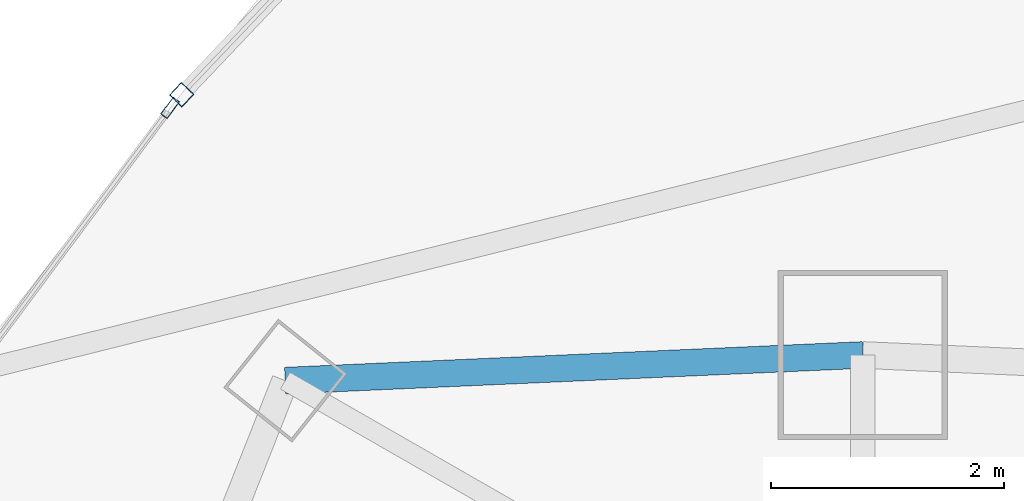
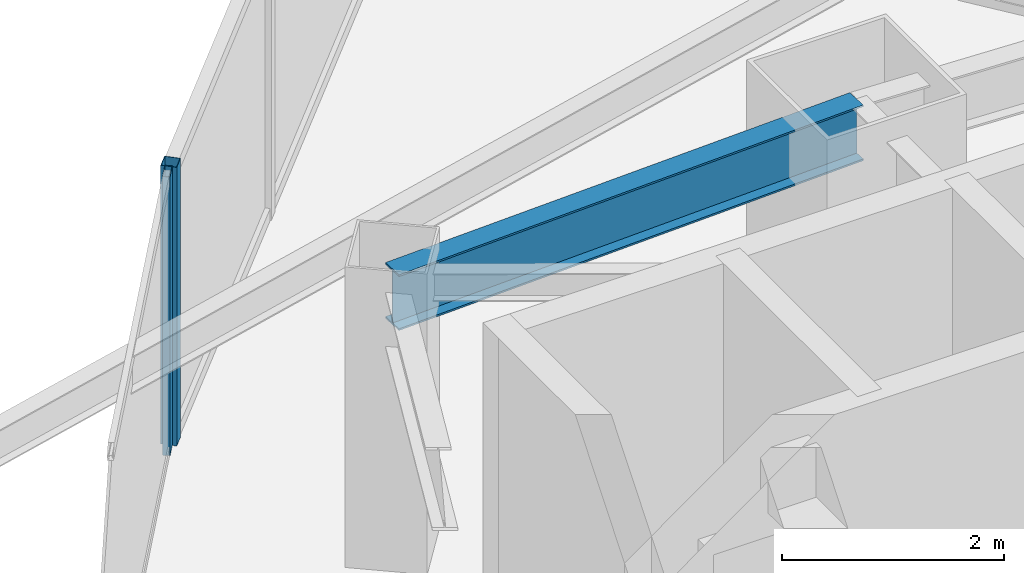
# One storey, part 21 of 31: 2 members, 1 beam, 2 elements without a shape of their own.
"""IFC4 building model written with IfcOpenShell, lengths in metres."""

import ifcopenshell
import ifcopenshell.guid

model = None  # the IFC model being written
_history = None  # IfcOwnerHistory: only IFC2X3 demands one
_inside = {}  # id of a spatial element -> (the spatial element, [elements in it])
_under = {}  # id of a project, library or spatial element -> (it, [spatial elements below it])
_declared = {}  # id of a project -> (the project, [libraries it declares])
_typed = {}  # id of a type object -> (the type object, [elements of that type])
_made_of = {}  # id of a material, layer set ... -> (it, [elements and type objects made of it])


def new_model(schema):
    """Start an empty IFC model of exactly this schema.

    Asked for "IFC4X3", IfcOpenShell would pick the latest addendum, in which some entities
    have other attributes; the version numbers below select the first issue.
    IFC2X3 requires an IfcOwnerHistory on every rooted entity: one is made here for all.
    """
    global model, _history
    if schema == "IFC4X3":
        model = ifcopenshell.file(schema_version=(4, 3, 0, 0))
    else:
        model = ifcopenshell.file(schema=schema)
    _inside.clear()
    _under.clear()
    _declared.clear()
    _typed.clear()
    _made_of.clear()
    _history = None
    if model.schema == "IFC2X3":
        org = make("IfcOrganization", Name="unknown")
        user = make(
            "IfcPersonAndOrganization",
            ThePerson=make("IfcPerson", FamilyName="unknown"),
            TheOrganization=org,
        )
        app = make(
            "IfcApplication",
            ApplicationDeveloper=org,
            Version="unknown",
            ApplicationFullName="unknown",
            ApplicationIdentifier="unknown",
        )
        _history = make(
            "IfcOwnerHistory",
            OwningUser=user,
            OwningApplication=app,
            ChangeAction="ADDED",
            CreationDate=0,
        )
    return model


def make(cls, **values):
    """One entity of the class cls with the attributes given. An attribute that is None is left unset."""
    return model.create_entity(
        cls, **{name: value for name, value in values.items() if value is not None}
    )


def rooted(cls, **values):
    """An entity with a GlobalId (a new one), such as an element, a storey or a relation."""
    return make(cls, GlobalId=ifcopenshell.guid.new(), OwnerHistory=_history, **values)


def si_unit(unit_type, name, prefix=None):
    """IfcSIUnit, for example si_unit("LENGTHUNIT", "METRE", prefix="MILLI")."""
    return make("IfcSIUnit", UnitType=unit_type, Prefix=prefix, Name=name)


def assignment(units):
    """IfcUnitAssignment: the units of a project."""
    return None if units is None else make("IfcUnitAssignment", Units=units)


def point(xyz):
    """IfcCartesianPoint."""
    return None if xyz is None else make("IfcCartesianPoint", Coordinates=xyz)


def direction(xyz):
    """IfcDirection."""
    return None if xyz is None else make("IfcDirection", DirectionRatios=xyz)


def frame(location, z_axis=None, x_axis=None):
    """IfcAxis2Placement3D, a coordinate frame: its origin and axes. An axis left out is left unset."""
    return make(
        "IfcAxis2Placement3D",
        Location=point(location),
        Axis=direction(z_axis),
        RefDirection=direction(x_axis),
    )


def frame_2d(location, x_axis=None):
    """IfcAxis2Placement2D, a coordinate frame in the plane: its origin and x axis."""
    return make(
        "IfcAxis2Placement2D", Location=point(location), RefDirection=direction(x_axis)
    )


def origin():
    """The frame at (0, 0, 0) with its axes left unset."""
    return frame((0.0, 0.0, 0.0))


def origin_2d():
    """The frame at (0, 0) in the plane with its x axis left unset."""
    return frame_2d((0.0, 0.0))


def place(relative_to, where):
    """IfcLocalPlacement: puts the frame where relative to a parent placement (None: the world)."""
    return make(
        "IfcLocalPlacement", PlacementRelTo=relative_to, RelativePlacement=where
    )


def context(
    kind, dimensions, precision=None, world=None, true_north=None, identifier=None
):
    """IfcGeometricRepresentationContext, for example the 3D "Model" context."""
    return make(
        "IfcGeometricRepresentationContext",
        ContextIdentifier=identifier,
        ContextType=kind,
        CoordinateSpaceDimension=dimensions,
        Precision=precision,
        WorldCoordinateSystem=world,
        TrueNorth=true_north,
    )


def subcontext(parent, identifier, kind, view, scale=None):
    """IfcGeometricRepresentationSubContext, for example "Body" below "Model"."""
    return make(
        "IfcGeometricRepresentationSubContext",
        ContextIdentifier=identifier,
        ContextType=kind,
        ParentContext=parent,
        TargetScale=scale,
        TargetView=view,
    )


def project(units=None, contexts=None):
    """IfcProject with its units and contexts."""
    return rooted(
        "IfcProject",
        Name="project",
        RepresentationContexts=contexts,
        UnitsInContext=assignment(units),
    )


def spatial(cls, under=None, at=None, **own):
    """A site, building, storey or space (cls), placed at a placement, below another one or the project."""
    s = rooted(cls, ObjectPlacement=at, **own)
    if under is not None:
        _under.setdefault(under.id(), (under, []))[1].append(s)
    return s


def profile(cls, at=None, kind="AREA", **sizes):
    """A parametric profile (cls). Its sizes go by their IFC names, for example OverallWidth=200.0."""
    return make(cls, ProfileType=kind, Position=at, **sizes)


def hollow_rectangle(**sizes):
    """IfcRectangleHollowProfileDef."""
    return profile("IfcRectangleHollowProfileDef", **sizes)


def i_section(**sizes):
    """IfcIShapeProfileDef."""
    return profile("IfcIShapeProfileDef", **sizes)


def extrude(swept, where, along, depth):
    """IfcExtrudedAreaSolid: the profile swept, set in the frame where, extruded along a direction by depth."""
    return make(
        "IfcExtrudedAreaSolid",
        SweptArea=swept,
        Position=where,
        ExtrudedDirection=direction(along),
        Depth=depth,
    )


def shape(context_of_items, identifier, shape_type, items):
    """IfcShapeRepresentation: the items that make up one representation, for example the "Body"."""
    return make(
        "IfcShapeRepresentation",
        ContextOfItems=context_of_items,
        RepresentationIdentifier=identifier,
        RepresentationType=shape_type,
        Items=items,
    )


def material(Name=None, Category=None):
    """IfcMaterial."""
    return make("IfcMaterial", Name=Name, Category=Category)


def layer(
    of_material, thickness, ventilated=None, Name=None, Category=None, Priority=None
):
    """IfcMaterialLayer: one layer of a wall or slab, of a material (None: an air gap)."""
    return make(
        "IfcMaterialLayer",
        Material=of_material,
        LayerThickness=thickness,
        IsVentilated=ventilated,
        Name=Name,
        Category=Category,
        Priority=Priority,
    )


def layer_set(layers, Name=None):
    """IfcMaterialLayerSet."""
    return make("IfcMaterialLayerSet", MaterialLayers=layers, LayerSetName=Name)


def material_profile(
    of_material, cross_section, Name=None, Category=None, Priority=None
):
    """IfcMaterialProfile: a cross section and its material."""
    return make(
        "IfcMaterialProfile",
        Name=Name,
        Material=of_material,
        Profile=cross_section,
        Priority=Priority,
        Category=Category,
    )


def profile_set(profiles, Name=None, composite=None):
    """IfcMaterialProfileSet."""
    return make(
        "IfcMaterialProfileSet",
        Name=Name,
        MaterialProfiles=profiles,
        CompositeProfile=composite,
    )


def made_of(thing, what):
    """Note that an element or type object is made of a material, layer set ...; save() writes the relation."""
    if what is not None:
        _made_of.setdefault(what.id(), (what, []))[1].append(thing)
    return thing


def type_object(cls, material=None, **own):
    """A type object (cls), such as IfcWallType, which elements share."""
    return made_of(rooted(cls, **own), material)


def element(
    cls,
    number,
    at=None,
    inside=None,
    cuts=None,
    type_object=None,
    material=None,
    context=None,
    identifier="Body",
    shape_type=None,
    held_by="IfcProductDefinitionShape",
    body=None,
    shapes=None,
    **own,
):
    """One element of the class cls, such as IfcWall. Its Tag is "e" and its number.

    at: its placement. inside: the storey or other place that contains it. cuts: it is an
    opening in that element (IfcRelVoidsElement). A single representation is given by context,
    identifier, shape_type and body (its items); several are given by shapes. held_by: the class
    of the entity that holds the representations. save() writes the other relations.
    """
    e = rooted(cls, Tag="e%d" % number, ObjectPlacement=at, **own)
    if body is not None:
        shapes = [shape(context, identifier, shape_type, body)]
    if shapes is not None:
        e.Representation = make(held_by, Representations=shapes)
    if inside is not None:
        _inside.setdefault(inside.id(), (inside, []))[1].append(e)
    if cuts is not None:
        rooted(
            "IfcRelVoidsElement", RelatingBuildingElement=cuts, RelatedOpeningElement=e
        )
    if type_object is not None:
        _typed.setdefault(type_object.id(), (type_object, []))[1].append(e)
    return made_of(e, material)


def aggregate(whole, parts):
    """IfcRelAggregates: a whole, such as a stair, and the parts it consists of."""
    return rooted("IfcRelAggregates", RelatingObject=whole, RelatedObjects=parts)


def save(model, path):
    """Write the relations noted so far, then the file.

    IfcRelAggregates (storeys below a building ...), IfcRelContainedInSpatialStructure (elements
    in a storey), IfcRelDefinesByType, IfcRelAssociatesMaterial and IfcRelDeclares: one each for
    every whole, place, type object, material and project.
    """
    for whole, parts in _under.values():
        aggregate(whole, parts)
    for where, things in _inside.values():
        rooted(
            "IfcRelContainedInSpatialStructure",
            RelatedElements=things,
            RelatingStructure=where,
        )
    for kind, things in _typed.values():
        rooted("IfcRelDefinesByType", RelatedObjects=things, RelatingType=kind)
    for what, things in _made_of.values():
        rooted("IfcRelAssociatesMaterial", RelatedObjects=things, RelatingMaterial=what)
    for by, libraries in _declared.values():
        rooted("IfcRelDeclares", RelatingContext=by, RelatedDefinitions=libraries)
    model.write(path)


model = new_model("IFC4")

# Units and contexts
model_context = context("Model", 3, precision=1e-05, world=origin(), true_north=direction((0.0, 1.0)))
body_context = subcontext(model_context, "Body", "Model", "MODEL_VIEW")
ifc_project = project(units=[si_unit("LENGTHUNIT", "METRE"), si_unit("AREAUNIT", "SQUARE_METRE"), si_unit("VOLUMEUNIT", "CUBIC_METRE"), si_unit("PLANEANGLEUNIT", "RADIAN"), si_unit("MASSUNIT", "GRAM", prefix="KILO")], contexts=[model_context])

# Site, building, storey
site_placement = place(None, origin())
site = spatial("IfcSite", under=ifc_project, at=site_placement, CompositionType="ELEMENT")
building_placement = place(site_placement, origin())
building = spatial("IfcBuilding", under=site, at=building_placement, Name="Orvanel Arch Residences", CompositionType="ELEMENT")
storey_placement = place(building_placement, frame((0.0, 0.0, 129.800048828125)))
storey = spatial("IfcBuildingStorey", under=building, at=storey_placement, Name="L36", CompositionType="ELEMENT", Elevation=129.800048828125)

# Curtain wall, member
ifc_material_1 = material(Name="Bronze-anodised aluminium AA6063-T6", Category="aluminium")
ifc_layer_1 = layer(ifc_material_1, 0.18994140625)
ifc_layer_set_1 = layer_set([ifc_layer_1], Name="Bronze-anodised aluminium AA6063-T6")
curtain_wall_type_1 = type_object("IfcCurtainWallType", Name="CW5-CRN-SYS", PredefinedType="NOTDEFINED", material=ifc_layer_set_1)
curtain_wall_1_placement = place(storey_placement, origin())
curtain_wall_1 = element("IfcCurtainWall", 1, at=curtain_wall_1_placement, inside=storey, type_object=curtain_wall_type_1, Name="L36 CW5-CRN-SYS Unitised Curtain Wall", PredefinedType="NOTDEFINED")
ifc_material_profile_1 = material_profile(ifc_material_1, hollow_rectangle(XDim=0.14990234375, YDim=0.14990234375, WallThickness=0.0048828125, at=origin_2d()), Name="ALU150x150x5")
ifc_profile_set_1 = profile_set([ifc_material_profile_1], Name="Bronze-anodised aluminium AA6063-T6")
member_type_1 = type_object("IfcMemberType", Name="MUL-150x150", PredefinedType="MULLION", material=ifc_profile_set_1)
member_1_placement = place(storey_placement, frame((27.16259765625, 43.62841796875, 0.0), z_axis=(0.0, 0.0, 1.0), x_axis=(0.725177541449, -0.688561931403, 0.0)))
member_1 = element("IfcMember", 2, at=member_1_placement, type_object=member_type_1, Name="CW-S5 mullion 3", PredefinedType="MULLION", context=body_context, shape_type="SweptSolid", body=[
    extrude(hollow_rectangle(XDim=0.14990234375, YDim=0.14990234375, WallThickness=0.0048828125, at=origin_2d()), origin(), (0.0, 0.0, 1.0), 3.06005859375),
])
aggregate(curtain_wall_1, [member_1])

ifc_layer_2 = layer(ifc_material_1, 0.179931640625)
ifc_layer_set_2 = layer_set([ifc_layer_2], Name="Bronze-anodised aluminium AA6063-T6")
curtain_wall_type_2 = type_object("IfcCurtainWallType", Name="CW3-MID-SYS", PredefinedType="NOTDEFINED", material=ifc_layer_set_2)
curtain_wall_2_placement = place(storey_placement, origin())
curtain_wall_2 = element("IfcCurtainWall", 3, at=curtain_wall_2_placement, inside=storey, type_object=curtain_wall_type_2, Name="L36 CW3-MID-SYS Unitised Curtain Wall", PredefinedType="NOTDEFINED")
ifc_material_profile_2 = material_profile(ifc_material_1, hollow_rectangle(XDim=0.070068359375, YDim=0.179931640625, WallThickness=0.00439453125, at=origin_2d()), Name="ALU180x70x4.5")
ifc_profile_set_2 = profile_set([ifc_material_profile_2], Name="Bronze-anodised aluminium AA6063-T6")
member_type_2 = type_object("IfcMemberType", Name="MUL-180x70", PredefinedType="MULLION", material=ifc_profile_set_2)
member_2_placement = place(storey_placement, frame((27.064208984375, 43.514892578125, 0.0), z_axis=(0.0, 0.0, 1.0), x_axis=(0.801951131724, -0.597389640291, 0.0)))
member_2 = element("IfcMember", 4, at=member_2_placement, type_object=member_type_2, Name="CW-S3 mullion 1", PredefinedType="MULLION", context=body_context, shape_type="SweptSolid", body=[
    extrude(hollow_rectangle(XDim=0.070068359375, YDim=0.179931640625, WallThickness=0.00439453125, at=origin_2d()), origin(), (0.0, 0.0, 1.0), 3.06005859375),
])
aggregate(curtain_wall_2, [member_2])

# Beam
ifc_material_2 = material(Name="Structural steel AS/NZS 3679.1 Grade 300 (300 MPa)", Category="steel")
ifc_material_profile_3 = material_profile(ifc_material_2, i_section(OverallWidth=0.22900390625, OverallDepth=0.612060546875, WebThickness=0.011962890625, FlangeThickness=0.01953125, at=origin_2d()), Name="610UB125")
ifc_profile_set_3 = profile_set([ifc_material_profile_3], Name="Structural steel AS/NZS 3679.1 Grade 300 (300 MPa)")
beam_type = type_object("IfcBeamType", Name="SP-610UB", PredefinedType="SPANDREL", material=ifc_profile_set_3)
beam_placement = place(storey_placement, frame((33.0, 41.39794921875, 2.75390625), z_axis=(-0.999014049296, -0.044395149614, 0.0), x_axis=(0.044395149614, -0.999014049296, 0.0)))
element("IfcBeam", 5, at=beam_placement, inside=storey, type_object=beam_type, Name="L36 Perimeter Spandrel Beam 15", PredefinedType="SPANDREL", context=body_context, shape_type="SweptSolid", body=[
    extrude(i_section(OverallWidth=0.22900390625, OverallDepth=0.612060546875, WebThickness=0.011962890625, FlangeThickness=0.01953125, at=origin_2d()), origin(), (0.0, 0.0, 1.0), 4.954833984375),
])

save(model, "model.ifc")
